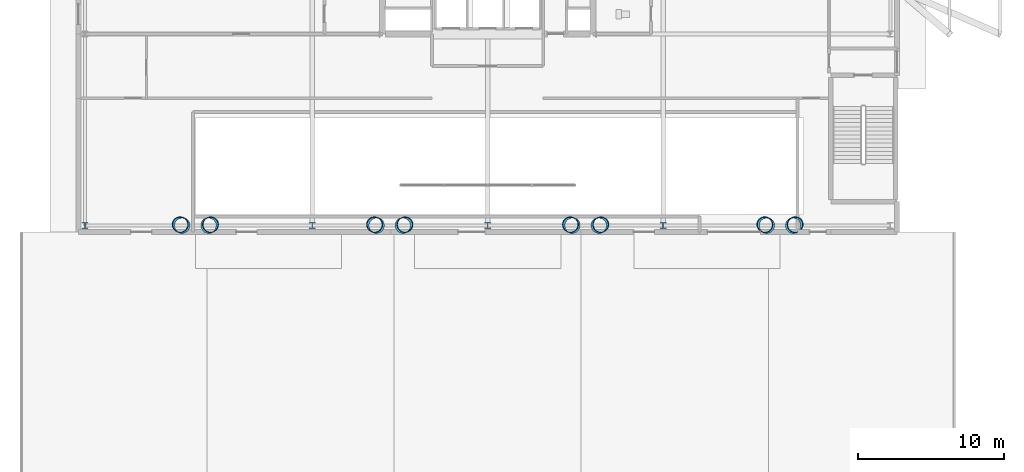
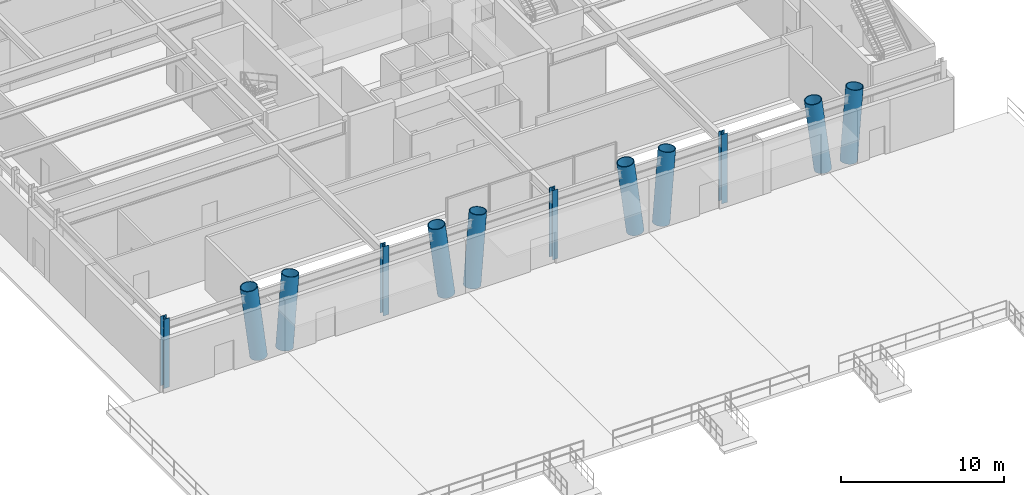
# One storey, part 1 of 19: 12 columns.
"""IFC4 building model written with IfcOpenShell, lengths in metres."""

from ifc_helpers import new_model, si_unit, direction, frame, origin, origin_2d, place, context, subcontext, project, spatial, hollow_circle, i_section, extrude, material, material_profile, profile_set, type_object, element, save


model = new_model("IFC4")

# Units and contexts
model_context = context("Model", 3, precision=1e-05, world=origin(), true_north=direction((0.0, 1.0)))
body_context = subcontext(model_context, "Body", "Model", "MODEL_VIEW")
ifc_project = project(units=[si_unit("LENGTHUNIT", "METRE"), si_unit("AREAUNIT", "SQUARE_METRE"), si_unit("VOLUMEUNIT", "CUBIC_METRE"), si_unit("PLANEANGLEUNIT", "RADIAN"), si_unit("MASSUNIT", "GRAM", prefix="KILO")], contexts=[model_context])

# Site, building, storey
site_placement = place(None, origin())
site = spatial("IfcSite", under=ifc_project, at=site_placement, CompositionType="ELEMENT")
building_placement = place(site_placement, origin())
building = spatial("IfcBuilding", under=site, at=building_placement, Name="Veldorina Hangang Commons", CompositionType="ELEMENT")
storey_placement = place(building_placement, origin())
storey = spatial("IfcBuildingStorey", under=building, at=storey_placement, Name="L00", CompositionType="ELEMENT", Elevation=0.0)

# Columns
ifc_material_1 = material(Name="Steel SM460-TMC", Category="steel")
ifc_material_profile_1 = material_profile(ifc_material_1, i_section(OverallWidth=0.39990234375, OverallDepth=0.39990234375, WebThickness=0.012939453125, FlangeThickness=0.02099609375, FilletRadius=0.01806640625, at=origin_2d()), Name="H-400x400x13x21")
ifc_profile_set_1 = profile_set([ifc_material_profile_1], Name="Steel SM460-TMC")
column_type_1 = type_object("IfcColumnType", Name="COL-H400", PredefinedType="COLUMN", material=ifc_profile_set_1)
for number, where, z_axis, x_axis, name in (
    (1, (4.449951171875, 3.449951171875, 0.0), (0.0, 0.0, 1.0), (1.0, 0.0, 0.0), "L00 structural column S1"),
    (2, (20.0, 3.449951171875, 0.0), (0.0, 0.0, 1.0), (1.0, 0.0, 0.0), "L00 structural column S3"),
    (3, (32.0, 3.449951171875, 0.0), (0.0, 0.0, 1.0), (1.0, 0.0, 0.0), "L00 structural column S4"),
    (4, (44.0, 3.449951171875, 0.0), (0.0, 0.0, 1.0), (1.0, 0.0, 0.0), "L00 structural column S5"),
):
    element("IfcColumn", number, at=place(storey_placement, frame(where, z_axis=z_axis, x_axis=x_axis)), inside=storey, type_object=column_type_1, Name=name, PredefinedType="COLUMN", context=body_context, shape_type="SweptSolid", body=[
        extrude(i_section(OverallWidth=0.39990234375, OverallDepth=0.39990234375, WebThickness=0.012939453125, FlangeThickness=0.02099609375, FilletRadius=0.01806640625, at=origin_2d()), origin(), (0.0, 0.0, 1.0), 5.199951171875),
    ])
ifc_material_2 = material(Name="Steel SM490-TMC", Category="steel")
ifc_material_profile_2 = material_profile(ifc_material_2, hollow_circle(Radius=0.550048828125, WallThickness=0.050048828125, at=origin_2d()), Name="CHS-1100x50")
ifc_profile_set_2 = profile_set([ifc_material_profile_2], Name="Steel SM490-TMC")
column_type_2 = type_object("IfcColumnType", Name="COL-VC1100", PredefinedType="COLUMN", material=ifc_profile_set_2)
for number, where, z_axis, x_axis, name in (
    (5, (11.080078125, 3.449951171875, 0.0), (-0.105031221929, 0.046825642458, 0.993365895141), (-0.407191840718, -0.913342654677, 0.0), "L00 sculptural V-column VC-1 leg L"),
    (6, (12.919921875, 3.449951171875, 0.0), (0.105031221929, 0.046825642458, 0.993365895141), (-0.407191840718, 0.913342654677, 0.0), "L00 sculptural V-column VC-1 leg R"),
    (7, (24.3798828125, 3.449951171875, 0.0), (-0.105031221929, 0.046825642458, 0.993365895141), (-0.407191840718, -0.913342654677, 0.0), "L00 sculptural V-column VC-2 leg L"),
    (8, (26.219970703125, 3.449951171875, 0.0), (0.105031221929, 0.046825642458, 0.993365895141), (-0.407191840718, 0.913342654677, 0.0), "L00 sculptural V-column VC-2 leg R"),
    (9, (37.780029296875, 3.449951171875, 0.0), (-0.105031221929, 0.046825642458, 0.993365895141), (-0.407191840718, -0.913342654677, 0.0), "L00 sculptural V-column VC-3 leg L"),
    (10, (39.6201171875, 3.449951171875, 0.0), (0.105031221929, 0.046825642458, 0.993365895141), (-0.407191840718, 0.913342654677, 0.0), "L00 sculptural V-column VC-3 leg R"),
    (11, (51.080078125, 3.449951171875, 0.0), (-0.105031221929, 0.046825642458, 0.993365895141), (-0.407191840718, -0.913342654677, 0.0), "L00 sculptural V-column VC-4 leg L"),
    (12, (52.919921875, 3.449951171875, 0.0), (0.105031221929, 0.046825642458, 0.993365895141), (-0.407191840718, 0.913342654677, 0.0), "L00 sculptural V-column VC-4 leg R"),
):
    element("IfcColumn", number, at=place(storey_placement, frame(where, z_axis=z_axis, x_axis=x_axis)), inside=storey, type_object=column_type_2, Name=name, PredefinedType="COLUMN", context=body_context, shape_type="SweptSolid", body=[
        extrude(hollow_circle(Radius=0.550048828125, WallThickness=0.050048828125, at=origin_2d()), origin(), (0.0, 0.0, 1.0), 5.234619140625),
    ])

save(model, "model.ifc")
